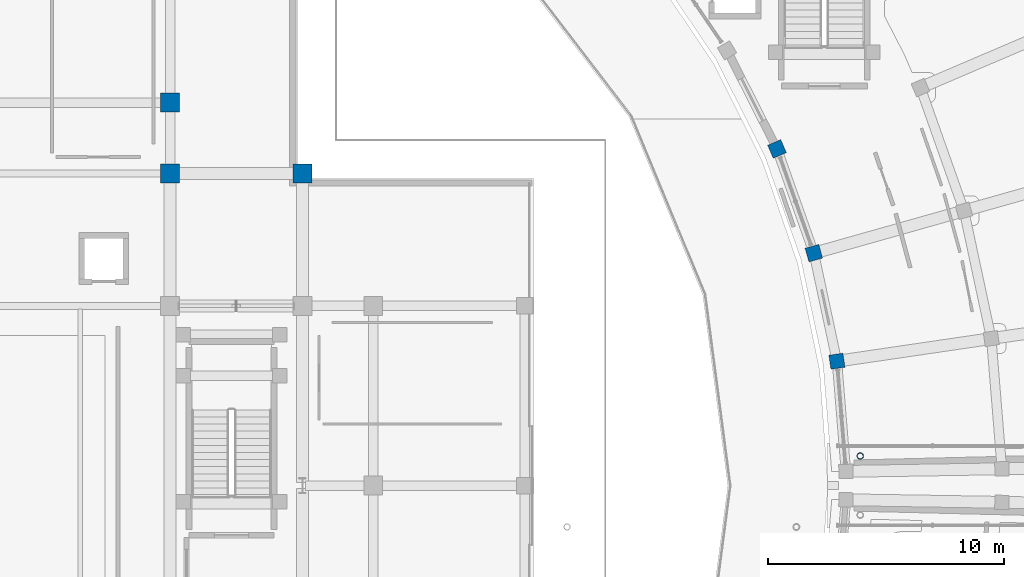
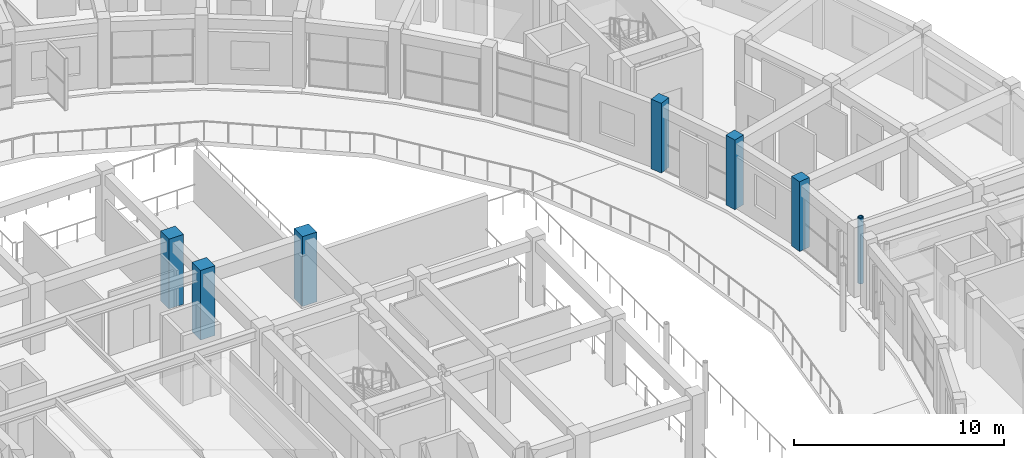
# One storey, part 8 of 83: 7 columns.
"""IFC4 building model written with IfcOpenShell, lengths in metres."""

from ifc_helpers import new_model, si_unit, direction, frame, origin, origin_2d, place, context, subcontext, project, spatial, rectangle, hollow_circle, extrude, material, material_profile, profile_set, type_object, element, save


model = new_model("IFC4")

# Units and contexts
model_context = context("Model", 3, precision=1e-05, world=origin(), true_north=direction((0.0, 1.0)))
body_context = subcontext(model_context, "Body", "Model", "MODEL_VIEW")
ifc_project = project(units=[si_unit("LENGTHUNIT", "METRE"), si_unit("AREAUNIT", "SQUARE_METRE"), si_unit("VOLUMEUNIT", "CUBIC_METRE"), si_unit("PLANEANGLEUNIT", "RADIAN"), si_unit("MASSUNIT", "GRAM", prefix="KILO")], contexts=[model_context])

# Site, building, storey
site_placement = place(None, origin())
site = spatial("IfcSite", under=ifc_project, at=site_placement, CompositionType="ELEMENT")
building_placement = place(site_placement, origin())
building = spatial("IfcBuilding", under=site, at=building_placement, Name="Saryqyr Civic Hall", CompositionType="ELEMENT")
storey_placement = place(building_placement, frame((0.0, 0.0, 9.14990234375)))
storey = spatial("IfcBuildingStorey", under=building, at=storey_placement, Name="L02", CompositionType="ELEMENT", Elevation=9.14990234375)

# Columns
ifc_material_1 = material(Name="Steel S355", Category="steel")
ifc_material_profile_1 = material_profile(ifc_material_1, hollow_circle(Radius=0.136474609375, WallThickness=0.01611328125, at=origin_2d()), Name="CHS 273x16")
ifc_profile_set_1 = profile_set([ifc_material_profile_1], Name="Steel S355")
column_type_1 = type_object("IfcColumnType", Name="STR-COL-CHS273-S355", PredefinedType="COLUMN", material=ifc_profile_set_1)
column_placement = place(storey_placement, frame((93.800048828125, 85.25, 0.0), z_axis=(0.0, 0.0, 1.0), x_axis=(1.0, 0.0, 0.0)))
element("IfcColumn", 1, at=column_placement, inside=storey, type_object=column_type_1, Name="Column BRCOL-BR-E-4-L02", PredefinedType="COLUMN", context=body_context, shape_type="SweptSolid", body=[
    extrude(hollow_circle(Radius=0.136474609375, WallThickness=0.01611328125, at=origin_2d()), origin(), (0.0, 0.0, 1.0), 3.820068359375),
])
ifc_material_2 = material(Name="Concrete C40/50", Category="concrete")
ifc_material_profile_2 = material_profile(ifc_material_2, rectangle(XDim=0.60009765625, YDim=0.60009765625, at=origin_2d()), Name="RC 600x600")
ifc_profile_set_2 = profile_set([ifc_material_profile_2], Name="Concrete C40/50")
column_type_2 = type_object("IfcColumnType", Name="STR-COL-RC600-C40", PredefinedType="COLUMN", material=ifc_profile_set_2)
for number, where, z_axis, x_axis, name in (
    (2, (92.81591796875, 89.260009765625, 0.0), (0.0, 0.0, 1.0), (0.989399437751, 0.145219670077, 0.0), "Column V6-COL-IN01-L02"),
    (3, (91.839111328125, 93.832275390625, 0.0), (0.0, 0.0, 1.0), (0.962407846499, 0.271608425858, 0.0), "Column V6-COL-IN02-L02"),
    (4, (90.281494140625, 98.240478515625, 0.0), (0.0, 0.0, 1.0), (0.919410138581, 0.393300136124, 0.0), "Column V6-COL-IN03-L02"),
):
    element("IfcColumn", number, at=place(storey_placement, frame(where, z_axis=z_axis, x_axis=x_axis)), inside=storey, type_object=column_type_2, Name=name, PredefinedType="COLUMN", context=body_context, shape_type="SweptSolid", body=[
        extrude(rectangle(XDim=0.60009765625, YDim=0.60009765625, at=origin_2d()), origin(), (0.0, 0.0, 1.0), 4.050048828125),
    ])
ifc_material_profile_3 = material_profile(ifc_material_2, rectangle(XDim=0.800048828125, YDim=0.800048828125, at=origin_2d()), Name="RC 800x800")
ifc_profile_set_3 = profile_set([ifc_material_profile_3], Name="Concrete C40/50")
column_type_3 = type_object("IfcColumnType", Name="STR-COL-RC800-C40", PredefinedType="COLUMN", material=ifc_profile_set_3)
for number, where, z_axis, x_axis, name in (
    (5, (64.60009765625, 97.199951171875, 0.0), (0.0, 0.0, 1.0), (1.0, 0.0, 0.0), "Column V1-COL-C34-L02"),
    (6, (70.199951171875, 97.199951171875, 0.0), (0.0, 0.0, 1.0), (1.0, 0.0, 0.0), "Column V1-COL-C44-L02"),
    (7, (64.60009765625, 100.199951171875, 0.0), (0.0, 0.0, 1.0), (1.0, 0.0, 0.0), "Column V1-COL-S3P12-L02"),
):
    element("IfcColumn", number, at=place(storey_placement, frame(where, z_axis=z_axis, x_axis=x_axis)), inside=storey, type_object=column_type_3, Name=name, PredefinedType="COLUMN", context=body_context, shape_type="SweptSolid", body=[
        extrude(rectangle(XDim=0.800048828125, YDim=0.800048828125, at=origin_2d()), origin(), (0.0, 0.0, 1.0), 4.050048828125),
    ])

save(model, "model.ifc")
